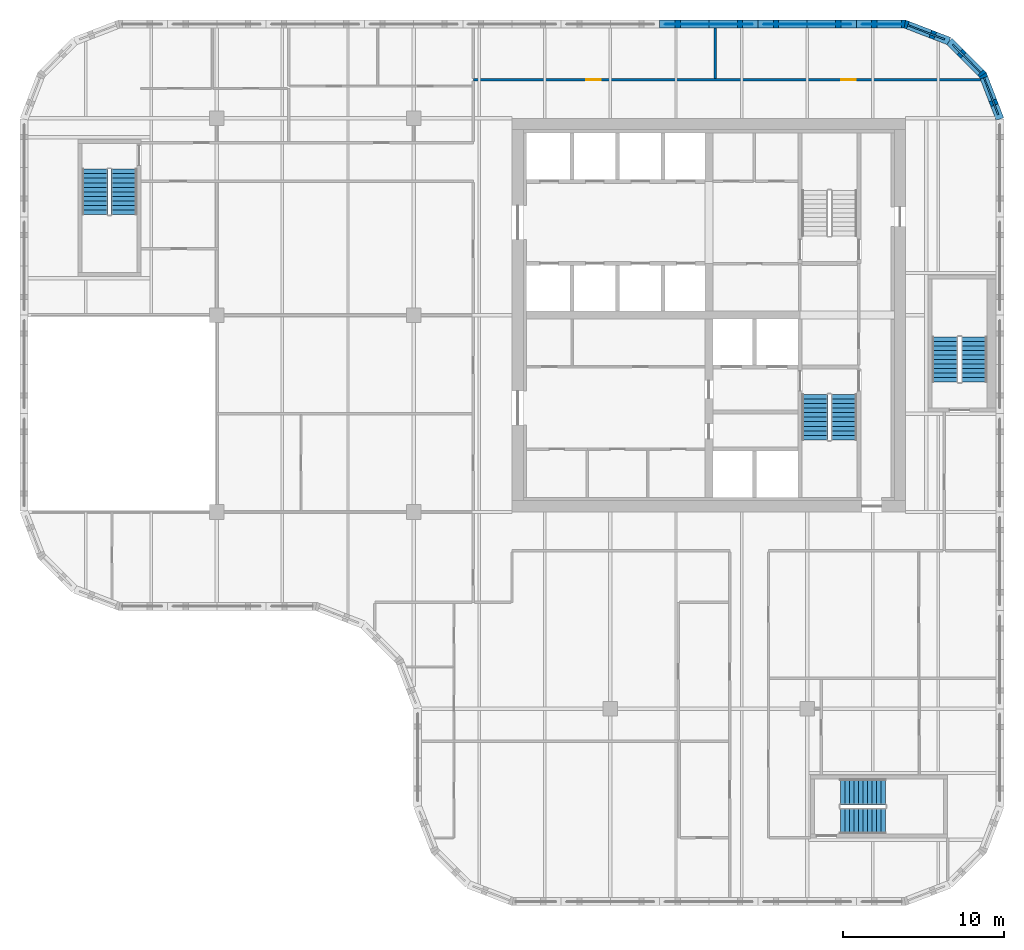
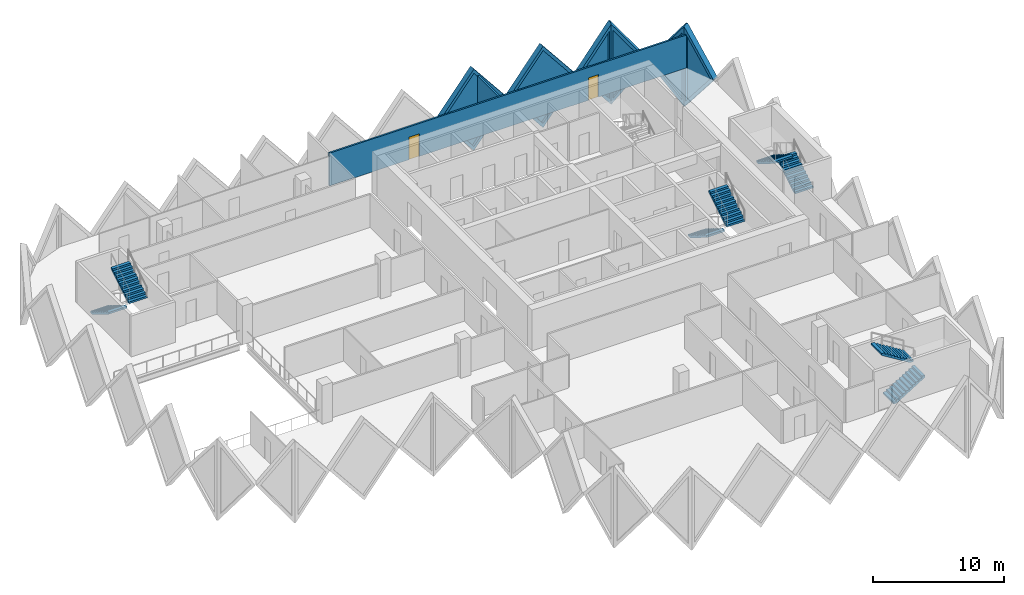
# One storey, part 10 of 12: 8 stair flights, 8 walls, 6 plates, 2 doors, 8 openings, 4 elements without a shape of their own.
"""IFC4 building model written with IfcOpenShell, lengths in metres."""

from ifc_helpers import new_model, si_unit, direction, frame, frame_2d, origin, place, context, subcontext, project, spatial, polyline, rectangle, outline, extrude, faceted_brep, source, transform, mapped, material, layer, layer_set, type_object, element, fill, aggregate, save


model = new_model("IFC4")

# Units and contexts
model_context = context("Model", 3, precision=1e-05, world=origin(), true_north=direction((0.0, 1.0)))
body_context = subcontext(model_context, "Body", "Model", "MODEL_VIEW")
ifc_project = project(units=[si_unit("LENGTHUNIT", "METRE"), si_unit("AREAUNIT", "SQUARE_METRE"), si_unit("VOLUMEUNIT", "CUBIC_METRE"), si_unit("PLANEANGLEUNIT", "RADIAN"), si_unit("MASSUNIT", "GRAM", prefix="KILO")], contexts=[model_context])

# Site, building, storey
site_placement = place(None, origin())
site = spatial("IfcSite", under=ifc_project, at=site_placement, CompositionType="ELEMENT")
building_placement = place(site_placement, origin())
building = spatial("IfcBuilding", under=site, at=building_placement, Name="Tessera Gate Towers", CompositionType="ELEMENT")
storey_placement = place(building_placement, frame((0.0, 0.0, 143.0)))
storey = spatial("IfcBuildingStorey", under=building, at=storey_placement, Name="L35", CompositionType="ELEMENT", Elevation=143.0)

# Wall, openings, doors
ifc_material_1 = material(Name="Gypsum board on steel studs, mineral wool", Category="steel")
ifc_layer_1 = layer(ifc_material_1, 0.14990234375)
ifc_layer_set_1 = layer_set([ifc_layer_1], Name="CORRIDOR WALL 150")
wall_type_1 = type_object("IfcWallType", Name="CORRIDOR WALL 150", PredefinedType="PARTITIONING", material=ifc_layer_set_1)
wall_1_placement = place(storey_placement, frame((28.10009765625, 51.199951171875, 0.0), z_axis=(0.0, 0.0, 1.0), x_axis=(1.0, 0.0, 0.0)))
wall_1 = element("IfcWall", 1, at=wall_1_placement, inside=storey, type_object=wall_type_1, Name="T1-L35-PW-052", PredefinedType="PARTITIONING", context=body_context, shape_type="SweptSolid", body=[
    extrude(rectangle(XDim=31.438232421875, YDim=0.14990234375, at=frame_2d((15.71923828125, 0.0))), origin(), (0.0, 0.0, 1.0), 3.06689453125),
])
shared_shape_1 = source(origin(), body_context, "Body", "SweptSolid", [
    extrude(rectangle(XDim=0.89990234375, YDim=2.10009765625, at=frame_2d((0.449951171875, 1.050048828125))), frame((0.0, 0.0849609375, 0.0), z_axis=(0.0, -1.0, 0.0), x_axis=(1.0, 0.0, 0.0)), (0.0, 0.0, 1.0), 0.169921875),
])
opening_1_placement = place(wall_1_placement, frame((7.0, 0.0, 0.0)))
opening_1 = element("IfcOpeningElement", 2, at=opening_1_placement, cuts=wall_1, Name="Opening D890FD60-A13-07", PredefinedType="OPENING", context=body_context, shape_type="MappedRepresentation", body=[
    mapped(shared_shape_1, transform((0.0, 0.0, 0.0), scale=1.0)),
])
opening_2_placement = place(wall_1_placement, frame((22.800048828125, 0.0, 0.0)))
opening_2 = element("IfcOpeningElement", 3, at=opening_2_placement, cuts=wall_1, Name="Opening D890FD60-A13-08", PredefinedType="OPENING", context=body_context, shape_type="MappedRepresentation", body=[
    mapped(shared_shape_1, transform((0.0, 0.0, 0.0), scale=1.0)),
])
ifc_material_2 = material(Name="Timber door leaf in steel frame", Category="steel")
door_type = type_object("IfcDoorType", Name="CORRIDOR DOOR 900 FD60", OperationType="NOTDEFINED", PredefinedType="DOOR", material=ifc_material_2)
shared_shape_2 = source(origin(), body_context, "Body", "SweptSolid", [
    extrude(rectangle(XDim=0.89990234375, YDim=2.10009765625, at=frame_2d((0.449951171875, 1.050048828125))), frame((0.0, 0.02490234375, 0.0), z_axis=(0.0, -1.0, 0.0), x_axis=(1.0, 0.0, 0.0)), (0.0, 0.0, 1.0), 0.050048828125),
])
door_1_placement = place(opening_1_placement, origin())
door_1 = element("IfcDoor", 4, at=door_1_placement, inside=storey, type_object=door_type, Name="T1-L35-PD-028", OperationType="SINGLE_SWING_LEFT", OverallHeight=2.10009765625, OverallWidth=0.89990234375, PredefinedType="DOOR", context=body_context, shape_type="MappedRepresentation", body=[
    mapped(shared_shape_2, transform((0.0, 0.0, 0.0), scale=1.0)),
])
fill(opening_1, door_1)
door_2_placement = place(opening_2_placement, origin())
door_2 = element("IfcDoor", 5, at=door_2_placement, inside=storey, type_object=door_type, Name="T1-L35-PD-029", OperationType="SINGLE_SWING_LEFT", OverallHeight=2.10009765625, OverallWidth=0.89990234375, PredefinedType="DOOR", context=body_context, shape_type="MappedRepresentation", body=[
    mapped(shared_shape_2, transform((0.0, 0.0, 0.0), scale=1.0)),
])
fill(opening_2, door_2)

# Wall
ifc_material_3 = material(Name="Gypsum board on steel studs, mineral wool", Category="steel")
ifc_layer_2 = layer(ifc_material_3, 0.14990234375)
ifc_layer_set_2 = layer_set([ifc_layer_2], Name="TENANCY WALL 150")
wall_type_2 = type_object("IfcWallType", Name="TENANCY WALL 150", PredefinedType="PARTITIONING", material=ifc_layer_set_2)
wall_2_placement = place(storey_placement, frame((43.10009765625, 51.27587890625, 0.0), z_axis=(0.0, 0.0, 1.0), x_axis=(0.0, 1.0, 0.0)))
element("IfcWall", 6, at=wall_2_placement, inside=storey, type_object=wall_type_2, Name="T1-L35-PW-054", PredefinedType="PARTITIONING", context=body_context, shape_type="SweptSolid", body=[
    extrude(rectangle(XDim=3.1240234375, YDim=0.14990234375, at=frame_2d((1.56201171875, 0.0))), origin(), (0.0, 0.0, 1.0), 3.06689453125),
])

# Wall, opening, plate
ifc_material_4 = material(Name="Precast concrete C60/75 white", Category="concrete")
ifc_layer_3 = layer(ifc_material_4, 0.5)
ifc_layer_set_3 = layer_set([ifc_layer_3], Name="TS1 tessera")
wall_type_3 = type_object("IfcWallType", Name="TS1 tessera", PredefinedType="SOLIDWALL", material=ifc_layer_set_3)
shared_shape_3 = source(origin(), body_context, "Body", "SweptSolid", [
    extrude(outline(polyline([(3.050048828125, 0.0), (6.10009765625, 3.800048828125), (3.050048828125, 7.60009765625), (0.0, 3.800048828125), (3.050048828125, 0.0)])), frame((0.0, 0.25, 0.0), z_axis=(0.0, -1.0, 0.0), x_axis=(1.0, 0.0, 0.0)), (0.0, 0.0, 1.0), 0.5),
])
wall_3_placement = place(storey_placement, frame((51.85009765625, 54.64990234375, -3.800048828125), z_axis=(0.0, 0.0, 1.0), x_axis=(-1.0, 0.0, 0.0)))
wall_3 = element("IfcWall", 7, at=wall_3_placement, inside=storey, type_object=wall_type_3, Name="Precast tessera T1 TS1-0608", PredefinedType="SOLIDWALL", context=body_context, shape_type="MappedRepresentation", body=[
    mapped(shared_shape_3, transform((0.0, 0.0, 0.0), scale=1.0)),
])
shared_shape_4 = source(origin(), body_context, "Body", "SweptSolid", [
    extrude(outline(polyline([(3.050048828125, 0.3994140625), (5.779541015625, 3.800048828125), (3.050048828125, 7.20068359375), (0.320556640625, 3.800048828125), (3.050048828125, 0.3994140625)])), frame((0.0, 0.260009765625, 0.0), z_axis=(0.0, -1.0, 0.0), x_axis=(1.0, 0.0, 0.0)), (0.0, 0.0, 1.0), 0.52001953125),
])
opening_3_placement = place(wall_3_placement, origin())
opening_3 = element("IfcOpeningElement", 8, at=opening_3_placement, cuts=wall_3, Name="Opening T1-PL2-1242", PredefinedType="OPENING", context=body_context, shape_type="MappedRepresentation", body=[
    mapped(shared_shape_4, transform((0.0, 0.0, 0.0), scale=1.0)),
])
ifc_material_5 = material(Name="Low-e laminated glass", Category="glass")
ifc_layer_4 = layer(ifc_material_5, 0.06005859375)
ifc_layer_set_4 = layer_set([ifc_layer_4], Name="PL2 rhombic pane")
plate_type = type_object("IfcPlateType", Name="PL2 rhombic pane", PredefinedType="SHEET", material=ifc_layer_set_4)
shared_shape_5 = source(origin(), body_context, "Body", "SweptSolid", [
    extrude(outline(polyline([(3.050048828125, 0.3994140625), (5.779541015625, 3.800048828125), (3.050048828125, 7.20068359375), (0.320556640625, 3.800048828125), (3.050048828125, 0.3994140625)])), frame((0.0, 0.030029296875, 0.0), z_axis=(0.0, -1.0, 0.0), x_axis=(1.0, 0.0, 0.0)), (0.0, 0.0, 1.0), 0.06005859375),
])
plate_1_placement = place(opening_3_placement, origin())
plate_1 = element("IfcPlate", 9, at=plate_1_placement, inside=storey, type_object=plate_type, Name="Glass pane T1 PL2-1242", PredefinedType="SHEET", context=body_context, shape_type="MappedRepresentation", body=[
    mapped(shared_shape_5, transform((0.0, 0.0, 0.0), scale=1.0)),
])
fill(opening_3, plate_1)

wall_4_placement = place(storey_placement, frame((45.75, 54.64990234375, -3.800048828125), z_axis=(0.0, 0.0, 1.0), x_axis=(-1.0, 0.0, 0.0)))
wall_4 = element("IfcWall", 10, at=wall_4_placement, inside=storey, type_object=wall_type_3, Name="Precast tessera T1 TS1-0609", PredefinedType="SOLIDWALL", context=body_context, shape_type="MappedRepresentation", body=[
    mapped(shared_shape_3, transform((0.0, 0.0, 0.0), scale=1.0)),
])
opening_4_placement = place(wall_4_placement, origin())
opening_4 = element("IfcOpeningElement", 11, at=opening_4_placement, cuts=wall_4, Name="Opening T1-PL2-1243", PredefinedType="OPENING", context=body_context, shape_type="MappedRepresentation", body=[
    mapped(shared_shape_4, transform((0.0, 0.0, 0.0), scale=1.0)),
])
plate_2_placement = place(opening_4_placement, origin())
plate_2 = element("IfcPlate", 12, at=plate_2_placement, inside=storey, type_object=plate_type, Name="Glass pane T1 PL2-1243", PredefinedType="SHEET", context=body_context, shape_type="MappedRepresentation", body=[
    mapped(shared_shape_5, transform((0.0, 0.0, 0.0), scale=1.0)),
])
fill(opening_4, plate_2)

ifc_material_6 = material(Name="Precast concrete C60/75 white", Category="concrete")
ifc_layer_5 = layer(ifc_material_6, 0.5)
ifc_layer_set_5 = layer_set([ifc_layer_5], Name="TS3 corner tessera")
wall_type_4 = type_object("IfcWallType", Name="TS3 corner tessera", PredefinedType="SOLIDWALL", material=ifc_layer_set_5)
shared_shape_6 = source(origin(), body_context, "Body", "Brep", [
    faceted_brep([(2.950439453125, -0.25, 0.0), (2.9970703125, -0.25, 0.05908203125), (2.9970703125, -0.25, 7.541015625), (2.950439453125, -0.25, 7.60009765625), (0.0, -0.25, 3.800048828125), (0.052978515625, 0.25, 3.8681640625), (2.904052734375, 0.25, 7.540283203125), (2.904052734375, 0.25, 0.059814453125), (0.052978515625, 0.25, 3.73193359375), (2.950439453125, 0.00048828125, 0.0), (2.950439453125, 0.00048828125, 7.60009765625), (0.0, 0.0, 3.800048828125)], [[[0, 1, 2, 3, 4]], [[5, 6, 7, 8]], [[1, 0, 9]], [[10, 3, 2]], [[6, 5, 11, 4, 3, 10]], [[8, 7, 9, 0, 4, 11]], [[8, 11, 5]], [[1, 9, 7, 6, 10, 2]]]),
])
wall_5_placement = place(storey_placement, frame((57.606201171875, 53.588134765625, -3.800048828125), z_axis=(0.0, 0.0, 1.0), x_axis=(-0.932990326376, 0.359901446078, 0.0)))
wall_5 = element("IfcWall", 13, at=wall_5_placement, inside=storey, type_object=wall_type_4, Name="Precast corner tessera T1 TS3-0801", PredefinedType="SOLIDWALL", context=body_context, shape_type="MappedRepresentation", body=[
    mapped(shared_shape_6, transform((0.0, 0.0, 0.0), scale=1.0)),
])
shared_shape_7 = source(origin(), body_context, "Body", "SweptSolid", [
    extrude(outline(polyline([(2.75048828125, 6.934814453125), (0.31640625, 3.800048828125), (2.75048828125, 0.665283203125), (2.75048828125, 6.934814453125)])), frame((0.0, 0.260009765625, 0.0), z_axis=(0.0, -1.0, 0.0), x_axis=(1.0, 0.0, 0.0)), (0.0, 0.0, 1.0), 0.52001953125),
])
opening_5_placement = place(wall_5_placement, origin())
opening_5 = element("IfcOpeningElement", 14, at=opening_5_placement, cuts=wall_5, Name="Opening T1-PL2-1240", PredefinedType="OPENING", context=body_context, shape_type="MappedRepresentation", body=[
    mapped(shared_shape_7, transform((0.0, 0.0, 0.0), scale=1.0)),
])
shared_shape_8 = source(origin(), body_context, "Body", "SweptSolid", [
    extrude(outline(polyline([(2.75048828125, 6.934814453125), (0.31640625, 3.800048828125), (2.75048828125, 0.665283203125), (2.75048828125, 6.934814453125)])), frame((0.0, 0.030029296875, 0.0), z_axis=(0.0, -1.0, 0.0), x_axis=(1.0, 0.0, 0.0)), (0.0, 0.0, 1.0), 0.06005859375),
])
plate_3_placement = place(opening_5_placement, origin())
plate_3 = element("IfcPlate", 15, at=plate_3_placement, inside=storey, type_object=plate_type, Name="Glass pane T1 PL2-1240", PredefinedType="SHEET", context=body_context, shape_type="MappedRepresentation", body=[
    mapped(shared_shape_8, transform((0.0, 0.0, 0.0), scale=1.0)),
])
fill(opening_5, plate_3)

shared_shape_9 = source(origin(), body_context, "Body", "Brep", [
    faceted_brep([(0.046630859375, -0.25, 0.0), (3.050048828125, -0.25, 3.800048828125), (0.046630859375, -0.25, 7.60009765625), (0.0, -0.25, 7.5400390625), (0.0, -0.25, 0.06005859375), (0.09326171875, 0.25, 7.541259765625), (3.050048828125, 0.25, 3.800048828125), (0.09326171875, 0.25, 0.058837890625), (0.046630859375, 0.0, 0.0), (0.046630859375, 0.0, 7.60009765625)], [[[0, 1, 2, 3, 4]], [[5, 6, 7]], [[7, 6, 1, 0, 8]], [[6, 5, 9, 2, 1]], [[3, 2, 9]], [[8, 0, 4]], [[7, 8, 4, 3, 9, 5]]]),
])
wall_6_placement = place(storey_placement, frame((54.900146484375, 54.64990234375, -3.800048828125), z_axis=(0.0, 0.0, 1.0), x_axis=(-1.0, 0.0, 0.0)))
wall_6 = element("IfcWall", 16, at=wall_6_placement, inside=storey, type_object=wall_type_4, Name="Precast corner tessera T1 TS3-0802", PredefinedType="SOLIDWALL", context=body_context, shape_type="MappedRepresentation", body=[
    mapped(shared_shape_9, transform((0.0, 0.0, 0.0), scale=1.0)),
])
shared_shape_10 = source(origin(), body_context, "Body", "SweptSolid", [
    extrude(outline(polyline([(0.24658203125, 0.65625), (2.7314453125, 3.800048828125), (0.24658203125, 6.94384765625), (0.24658203125, 0.65625)])), frame((0.0, 0.260009765625, 0.0), z_axis=(0.0, -1.0, 0.0), x_axis=(1.0, 0.0, 0.0)), (0.0, 0.0, 1.0), 0.52001953125),
])
opening_6_placement = place(wall_6_placement, origin())
opening_6 = element("IfcOpeningElement", 17, at=opening_6_placement, cuts=wall_6, Name="Opening T1-PL2-1241", PredefinedType="OPENING", context=body_context, shape_type="MappedRepresentation", body=[
    mapped(shared_shape_10, transform((0.0, 0.0, 0.0), scale=1.0)),
])
shared_shape_11 = source(origin(), body_context, "Body", "SweptSolid", [
    extrude(outline(polyline([(0.24658203125, 0.65625), (2.7314453125, 3.800048828125), (0.24658203125, 6.94384765625), (0.24658203125, 0.65625)])), frame((0.0, 0.030029296875, 0.0), z_axis=(0.0, -1.0, 0.0), x_axis=(1.0, 0.0, 0.0)), (0.0, 0.0, 1.0), 0.06005859375),
])
plate_4_placement = place(opening_6_placement, origin())
plate_4 = element("IfcPlate", 18, at=plate_4_placement, inside=storey, type_object=plate_type, Name="Glass pane T1 PL2-1241", PredefinedType="SHEET", context=body_context, shape_type="MappedRepresentation", body=[
    mapped(shared_shape_11, transform((0.0, 0.0, 0.0), scale=1.0)),
])
fill(opening_6, plate_4)

shared_shape_12 = source(origin(), body_context, "Body", "Brep", [
    faceted_brep([(2.950439453125, -0.25, 0.0), (3.00341796875, -0.25, 0.068359375), (3.00341796875, -0.25, 7.53173828125), (2.950439453125, -0.25, 7.60009765625), (0.0, -0.25, 3.800048828125), (0.046630859375, 0.25, 3.860107421875), (2.897705078125, 0.25, 7.531982421875), (2.897705078125, 0.25, 0.068115234375), (0.046630859375, 0.25, 3.739990234375), (2.950439453125, 0.00048828125, 0.0), (2.950439453125, 0.00048828125, 7.60009765625), (0.0, 0.0, 3.800048828125)], [[[0, 1, 2, 3, 4]], [[5, 6, 7, 8]], [[1, 0, 9]], [[10, 3, 2]], [[6, 5, 11, 4, 3, 10]], [[8, 7, 9, 0, 4, 11]], [[8, 11, 5]], [[1, 9, 7, 6, 10, 2]]]),
])
wall_7_placement = place(storey_placement, frame((60.75, 48.75341796875, -3.800048828125), z_axis=(0.0, 0.0, 1.0), x_axis=(-0.35992665181, 0.932980602862, 0.0)))
wall_7 = element("IfcWall", 19, at=wall_7_placement, inside=storey, type_object=wall_type_4, Name="Precast corner tessera T1 TS3-0799", PredefinedType="SOLIDWALL", context=body_context, shape_type="MappedRepresentation", body=[
    mapped(shared_shape_12, transform((0.0, 0.0, 0.0), scale=1.0)),
])
opening_7_placement = place(wall_7_placement, origin())
opening_7 = element("IfcOpeningElement", 20, at=opening_7_placement, cuts=wall_7, Name="Opening T1-PL2-1238", PredefinedType="OPENING", context=body_context, shape_type="MappedRepresentation", body=[
    mapped(shared_shape_7, transform((0.0, 0.0, 0.0), scale=1.0)),
])
plate_5_placement = place(opening_7_placement, origin())
plate_5 = element("IfcPlate", 21, at=plate_5_placement, inside=storey, type_object=plate_type, Name="Glass pane T1 PL2-1238", PredefinedType="SHEET", context=body_context, shape_type="MappedRepresentation", body=[
    mapped(shared_shape_8, transform((0.0, 0.0, 0.0), scale=1.0)),
])
fill(opening_7, plate_5)

shared_shape_13 = source(origin(), body_context, "Body", "Brep", [
    faceted_brep([(0.052978515625, -0.25, 0.0), (2.9970703125, -0.25, 3.800048828125), (0.052978515625, -0.25, 7.60009765625), (0.0, -0.25, 7.531982421875), (0.0, -0.25, 0.068115234375), (0.10595703125, 0.25, 7.53173828125), (2.944091796875, 0.25, 3.8681640625), (2.944091796875, 0.25, 3.73193359375), (0.10595703125, 0.25, 0.068359375), (2.9970703125, 0.000244140625, 3.800048828125), (0.052978515625, 0.0, 0.0), (0.052978515625, 0.0, 7.60009765625)], [[[0, 1, 2, 3, 4]], [[5, 6, 7, 8]], [[8, 7, 9, 1, 0, 10]], [[6, 5, 11, 2, 1, 9]], [[3, 2, 11]], [[10, 0, 4]], [[8, 10, 4, 3, 11, 5]], [[9, 7, 6]]]),
])
wall_8_placement = place(storey_placement, frame((59.7255859375, 51.46875, -3.800048828125), z_axis=(0.0, 0.0, 1.0), x_axis=(-0.707106781187, 0.707106781187, 0.0)))
wall_8 = element("IfcWall", 22, at=wall_8_placement, inside=storey, type_object=wall_type_4, Name="Precast corner tessera T1 TS3-0800", PredefinedType="SOLIDWALL", context=body_context, shape_type="MappedRepresentation", body=[
    mapped(shared_shape_13, transform((0.0, 0.0, 0.0), scale=1.0)),
])
shared_shape_14 = source(origin(), body_context, "Body", "SweptSolid", [
    extrude(outline(polyline([(0.2529296875, 0.666259765625), (2.680908203125, 3.800048828125), (0.2529296875, 6.933837890625), (0.2529296875, 0.666259765625)])), frame((0.0, 0.260009765625, 0.0), z_axis=(0.0, -1.0, 0.0), x_axis=(1.0, 0.0, 0.0)), (0.0, 0.0, 1.0), 0.52001953125),
])
opening_8_placement = place(wall_8_placement, origin())
opening_8 = element("IfcOpeningElement", 23, at=opening_8_placement, cuts=wall_8, Name="Opening T1-PL2-1239", PredefinedType="OPENING", context=body_context, shape_type="MappedRepresentation", body=[
    mapped(shared_shape_14, transform((0.0, 0.0, 0.0), scale=1.0)),
])
shared_shape_15 = source(origin(), body_context, "Body", "SweptSolid", [
    extrude(outline(polyline([(0.2529296875, 0.666259765625), (2.680908203125, 3.800048828125), (0.2529296875, 6.933837890625), (0.2529296875, 0.666259765625)])), frame((0.0, 0.030029296875, 0.0), z_axis=(0.0, -1.0, 0.0), x_axis=(1.0, 0.0, 0.0)), (0.0, 0.0, 1.0), 0.06005859375),
])
plate_6_placement = place(opening_8_placement, origin())
plate_6 = element("IfcPlate", 24, at=plate_6_placement, inside=storey, type_object=plate_type, Name="Glass pane T1 PL2-1239", PredefinedType="SHEET", context=body_context, shape_type="MappedRepresentation", body=[
    mapped(shared_shape_15, transform((0.0, 0.0, 0.0), scale=1.0)),
])
fill(opening_8, plate_6)

# Stair, stair flights
ifc_material_7 = material(Name="Concrete C40/50", Category="concrete")
stair_type_1 = type_object("IfcStairType", Name="EXIT STAIR ST1 1600", PredefinedType="HALF_TURN_STAIR", material=ifc_material_7)
stair_1_placement = place(storey_placement, origin())
stair_1 = element("IfcStair", 25, at=stair_1_placement, inside=storey, type_object=stair_type_1, Name="L35 Protected Exit Stair ST1", PredefinedType="HALF_TURN_STAIR")
ifc_material_8 = material(Name="Concrete C40/50", Category="concrete")
stair_flight_type_1 = type_object("IfcStairFlightType", Name="EXIT STAIR FLIGHT ST1 1600", PredefinedType="STRAIGHT", material=ifc_material_8)
stair_flight_1_placement = place(storey_placement, frame((49.27490234375, 31.675048828125, 0.0), z_axis=(0.0, 0.0, 1.0), x_axis=(0.0, -1.0, 0.0)))
stair_flight_1 = element("IfcStairFlight", 26, at=stair_flight_1_placement, type_object=stair_flight_type_1, Name="ST1 flight 1", NumberOfRisers=11, NumberOfTreads=10, PredefinedType="STRAIGHT", RiserHeight=0.172727273, TreadLength=0.28, context=body_context, shape_type="SweptSolid", body=[
    extrude(outline(polyline([(0.0, 0.0), (0.0, 0.172607421875), (0.280029296875, 0.172607421875), (0.280029296875, 0.345458984375), (0.56005859375, 0.345458984375), (0.56005859375, 0.51806640625), (0.840087890625, 0.51806640625), (0.840087890625, 0.69091796875), (1.1201171875, 0.69091796875), (1.1201171875, 0.863525390625), (1.39990234375, 0.863525390625), (1.39990234375, 1.036376953125), (1.679931640625, 1.036376953125), (1.679931640625, 1.208984375), (1.9599609375, 1.208984375), (1.9599609375, 1.3818359375), (2.239990234375, 1.3818359375), (2.239990234375, 1.554443359375), (2.52001953125, 1.554443359375), (2.52001953125, 1.727294921875), (2.800048828125, 1.727294921875), (2.800048828125, 1.89990234375), (2.800048828125, 1.551025390625), (0.285400390625, 0.0), (0.0, 0.0)])), frame((0.0, 0.800048828125, 0.0), z_axis=(0.0, -1.0, 0.0), x_axis=(1.0, 0.0, 0.0)), (0.0, 0.0, 1.0), 1.60009765625),
])
stair_flight_2_placement = place(storey_placement, frame((51.074951171875, 28.875, 1.89990234375), z_axis=(0.0, 0.0, 1.0), x_axis=(0.0, 1.0, 0.0)))
stair_flight_2 = element("IfcStairFlight", 27, at=stair_flight_2_placement, type_object=stair_flight_type_1, Name="ST1 flight 2", NumberOfRisers=11, NumberOfTreads=10, PredefinedType="STRAIGHT", RiserHeight=0.172727273, TreadLength=0.28, context=body_context, shape_type="SweptSolid", body=[
    extrude(outline(polyline([(0.0, 0.0), (0.0, 0.172607421875), (0.280029296875, 0.172607421875), (0.280029296875, 0.345458984375), (0.56005859375, 0.345458984375), (0.56005859375, 0.51806640625), (0.840087890625, 0.51806640625), (0.840087890625, 0.69091796875), (1.1201171875, 0.69091796875), (1.1201171875, 0.863525390625), (1.39990234375, 0.863525390625), (1.39990234375, 1.036376953125), (1.679931640625, 1.036376953125), (1.679931640625, 1.208984375), (1.9599609375, 1.208984375), (1.9599609375, 1.3818359375), (2.239990234375, 1.3818359375), (2.239990234375, 1.554443359375), (2.52001953125, 1.554443359375), (2.52001953125, 1.727294921875), (2.800048828125, 1.727294921875), (2.800048828125, 1.89990234375), (2.800048828125, 1.551025390625), (0.285400390625, 0.0), (0.0, 0.0)])), frame((0.0, 0.800048828125, 0.0), z_axis=(0.0, -1.0, 0.0), x_axis=(1.0, 0.0, 0.0)), (0.0, 0.0, 1.0), 1.60009765625),
])
aggregate(stair_1, [stair_flight_1, stair_flight_2])

ifc_material_9 = material(Name="Concrete C40/50", Category="concrete")
stair_type_2 = type_object("IfcStairType", Name="EXIT STAIR ST3 1600", PredefinedType="HALF_TURN_STAIR", material=ifc_material_9)
stair_2_placement = place(storey_placement, origin())
stair_2 = element("IfcStair", 28, at=stair_2_placement, inside=storey, type_object=stair_type_2, Name="L35 West Exit Stair ST3", PredefinedType="HALF_TURN_STAIR")
ifc_material_10 = material(Name="Concrete C40/50", Category="concrete")
stair_flight_type_2 = type_object("IfcStairFlightType", Name="EXIT STAIR FLIGHT ST3 1600", PredefinedType="STRAIGHT", material=ifc_material_10)
stair_flight_3_placement = place(storey_placement, frame((4.64990234375, 45.64990234375, 0.0), z_axis=(0.0, 0.0, 1.0), x_axis=(0.0, -1.0, 0.0)))
stair_flight_3 = element("IfcStairFlight", 29, at=stair_flight_3_placement, type_object=stair_flight_type_2, Name="ST3 flight 1", NumberOfRisers=11, NumberOfTreads=10, PredefinedType="STRAIGHT", RiserHeight=0.172727273, TreadLength=0.28, context=body_context, shape_type="SweptSolid", body=[
    extrude(outline(polyline([(0.0, 0.0), (0.0, 0.172607421875), (0.280029296875, 0.172607421875), (0.280029296875, 0.345458984375), (0.56005859375, 0.345458984375), (0.56005859375, 0.51806640625), (0.840087890625, 0.51806640625), (0.840087890625, 0.69091796875), (1.1201171875, 0.69091796875), (1.1201171875, 0.863525390625), (1.39990234375, 0.863525390625), (1.39990234375, 1.036376953125), (1.679931640625, 1.036376953125), (1.679931640625, 1.208984375), (1.9599609375, 1.208984375), (1.9599609375, 1.3818359375), (2.239990234375, 1.3818359375), (2.239990234375, 1.554443359375), (2.52001953125, 1.554443359375), (2.52001953125, 1.727294921875), (2.800048828125, 1.727294921875), (2.800048828125, 1.89990234375), (2.800048828125, 1.551025390625), (0.285400390625, 0.0), (0.0, 0.0)])), frame((0.0, 0.800048828125, 0.0), z_axis=(0.0, -1.0, 0.0), x_axis=(1.0, 0.0, 0.0)), (0.0, 0.0, 1.0), 1.60009765625),
])
stair_flight_4_placement = place(storey_placement, frame((6.449951171875, 42.85009765625, 1.89990234375), z_axis=(0.0, 0.0, 1.0), x_axis=(0.0, 1.0, 0.0)))
stair_flight_4 = element("IfcStairFlight", 30, at=stair_flight_4_placement, type_object=stair_flight_type_2, Name="ST3 flight 2", NumberOfRisers=11, NumberOfTreads=10, PredefinedType="STRAIGHT", RiserHeight=0.172727273, TreadLength=0.28, context=body_context, shape_type="SweptSolid", body=[
    extrude(outline(polyline([(0.0, 0.0), (0.0, 0.172607421875), (0.280029296875, 0.172607421875), (0.280029296875, 0.345458984375), (0.56005859375, 0.345458984375), (0.56005859375, 0.51806640625), (0.840087890625, 0.51806640625), (0.840087890625, 0.69091796875), (1.1201171875, 0.69091796875), (1.1201171875, 0.863525390625), (1.39990234375, 0.863525390625), (1.39990234375, 1.036376953125), (1.679931640625, 1.036376953125), (1.679931640625, 1.208984375), (1.9599609375, 1.208984375), (1.9599609375, 1.3818359375), (2.239990234375, 1.3818359375), (2.239990234375, 1.554443359375), (2.52001953125, 1.554443359375), (2.52001953125, 1.727294921875), (2.800048828125, 1.727294921875), (2.800048828125, 1.89990234375), (2.800048828125, 1.551025390625), (0.285400390625, 0.0), (0.0, 0.0)])), frame((0.0, 0.800048828125, 0.0), z_axis=(0.0, -1.0, 0.0), x_axis=(1.0, 0.0, 0.0)), (0.0, 0.0, 1.0), 1.60009765625),
])
aggregate(stair_2, [stair_flight_3, stair_flight_4])

ifc_material_11 = material(Name="Concrete C40/50", Category="concrete")
stair_type_3 = type_object("IfcStairType", Name="EXIT STAIR ST4 1600", PredefinedType="HALF_TURN_STAIR", material=ifc_material_11)
stair_3_placement = place(storey_placement, origin())
stair_3 = element("IfcStair", 31, at=stair_3_placement, inside=storey, type_object=stair_type_3, Name="L35 South Exit Stair ST4", PredefinedType="HALF_TURN_STAIR")
ifc_material_12 = material(Name="Concrete C40/50", Category="concrete")
stair_flight_type_3 = type_object("IfcStairFlightType", Name="EXIT STAIR FLIGHT ST4 1600", PredefinedType="STRAIGHT", material=ifc_material_12)
stair_flight_5_placement = place(storey_placement, frame((50.85009765625, 5.25, 0.0), z_axis=(0.0, 0.0, 1.0), x_axis=(1.0, 0.0, 0.0)))
stair_flight_5 = element("IfcStairFlight", 32, at=stair_flight_5_placement, type_object=stair_flight_type_3, Name="ST4 flight 1", NumberOfRisers=11, NumberOfTreads=10, PredefinedType="STRAIGHT", RiserHeight=0.172727273, TreadLength=0.28, context=body_context, shape_type="SweptSolid", body=[
    extrude(outline(polyline([(0.0, 0.0), (0.0, 0.172607421875), (0.280029296875, 0.172607421875), (0.280029296875, 0.345458984375), (0.56005859375, 0.345458984375), (0.56005859375, 0.51806640625), (0.840087890625, 0.51806640625), (0.840087890625, 0.69091796875), (1.1201171875, 0.69091796875), (1.1201171875, 0.863525390625), (1.39990234375, 0.863525390625), (1.39990234375, 1.036376953125), (1.679931640625, 1.036376953125), (1.679931640625, 1.208984375), (1.9599609375, 1.208984375), (1.9599609375, 1.3818359375), (2.239990234375, 1.3818359375), (2.239990234375, 1.554443359375), (2.52001953125, 1.554443359375), (2.52001953125, 1.727294921875), (2.800048828125, 1.727294921875), (2.800048828125, 1.89990234375), (2.800048828125, 1.551025390625), (0.285400390625, 0.0), (0.0, 0.0)])), frame((0.0, 0.800048828125, 0.0), z_axis=(0.0, -1.0, 0.0), x_axis=(1.0, 0.0, 0.0)), (0.0, 0.0, 1.0), 1.60009765625),
])
stair_flight_6_placement = place(storey_placement, frame((53.64990234375, 7.050048828125, 1.89990234375), z_axis=(0.0, 0.0, 1.0), x_axis=(-1.0, 0.0, 0.0)))
stair_flight_6 = element("IfcStairFlight", 33, at=stair_flight_6_placement, type_object=stair_flight_type_3, Name="ST4 flight 2", NumberOfRisers=11, NumberOfTreads=10, PredefinedType="STRAIGHT", RiserHeight=0.172727273, TreadLength=0.28, context=body_context, shape_type="SweptSolid", body=[
    extrude(outline(polyline([(0.0, 0.0), (0.0, 0.172607421875), (0.280029296875, 0.172607421875), (0.280029296875, 0.345458984375), (0.56005859375, 0.345458984375), (0.56005859375, 0.51806640625), (0.840087890625, 0.51806640625), (0.840087890625, 0.69091796875), (1.1201171875, 0.69091796875), (1.1201171875, 0.863525390625), (1.39990234375, 0.863525390625), (1.39990234375, 1.036376953125), (1.679931640625, 1.036376953125), (1.679931640625, 1.208984375), (1.9599609375, 1.208984375), (1.9599609375, 1.3818359375), (2.239990234375, 1.3818359375), (2.239990234375, 1.554443359375), (2.52001953125, 1.554443359375), (2.52001953125, 1.727294921875), (2.800048828125, 1.727294921875), (2.800048828125, 1.89990234375), (2.800048828125, 1.551025390625), (0.285400390625, 0.0), (0.0, 0.0)])), frame((0.0, 0.800048828125, 0.0), z_axis=(0.0, -1.0, 0.0), x_axis=(1.0, 0.0, 0.0)), (0.0, 0.0, 1.0), 1.60009765625),
])
aggregate(stair_3, [stair_flight_5, stair_flight_6])

ifc_material_13 = material(Name="Concrete C40/50", Category="concrete")
stair_type_4 = type_object("IfcStairType", Name="EXIT STAIR ST5 1600", PredefinedType="HALF_TURN_STAIR", material=ifc_material_13)
stair_4_placement = place(storey_placement, origin())
stair_4 = element("IfcStair", 34, at=stair_4_placement, inside=storey, type_object=stair_type_4, Name="L35 East Exit Stair ST5", PredefinedType="HALF_TURN_STAIR")
ifc_material_14 = material(Name="Concrete C40/50", Category="concrete")
stair_flight_type_4 = type_object("IfcStairFlightType", Name="EXIT STAIR FLIGHT ST5 1600", PredefinedType="STRAIGHT", material=ifc_material_14)
stair_flight_7_placement = place(storey_placement, frame((59.14990234375, 32.449951171875, 0.0), z_axis=(0.0, 0.0, 1.0), x_axis=(0.0, 1.0, 0.0)))
stair_flight_7 = element("IfcStairFlight", 35, at=stair_flight_7_placement, type_object=stair_flight_type_4, Name="ST5 flight 1", NumberOfRisers=11, NumberOfTreads=10, PredefinedType="STRAIGHT", RiserHeight=0.172727273, TreadLength=0.28, context=body_context, shape_type="SweptSolid", body=[
    extrude(outline(polyline([(0.0, 0.0), (0.0, 0.172607421875), (0.280029296875, 0.172607421875), (0.280029296875, 0.345458984375), (0.56005859375, 0.345458984375), (0.56005859375, 0.51806640625), (0.840087890625, 0.51806640625), (0.840087890625, 0.69091796875), (1.1201171875, 0.69091796875), (1.1201171875, 0.863525390625), (1.39990234375, 0.863525390625), (1.39990234375, 1.036376953125), (1.679931640625, 1.036376953125), (1.679931640625, 1.208984375), (1.9599609375, 1.208984375), (1.9599609375, 1.3818359375), (2.239990234375, 1.3818359375), (2.239990234375, 1.554443359375), (2.52001953125, 1.554443359375), (2.52001953125, 1.727294921875), (2.800048828125, 1.727294921875), (2.800048828125, 1.89990234375), (2.800048828125, 1.551025390625), (0.285400390625, 0.0), (0.0, 0.0)])), frame((0.0, 0.800048828125, 0.0), z_axis=(0.0, -1.0, 0.0), x_axis=(1.0, 0.0, 0.0)), (0.0, 0.0, 1.0), 1.60009765625),
])
stair_flight_8_placement = place(storey_placement, frame((57.35009765625, 35.25, 1.89990234375), z_axis=(0.0, 0.0, 1.0), x_axis=(0.0, -1.0, 0.0)))
stair_flight_8 = element("IfcStairFlight", 36, at=stair_flight_8_placement, type_object=stair_flight_type_4, Name="ST5 flight 2", NumberOfRisers=11, NumberOfTreads=10, PredefinedType="STRAIGHT", RiserHeight=0.172727273, TreadLength=0.28, context=body_context, shape_type="SweptSolid", body=[
    extrude(outline(polyline([(0.0, 0.0), (0.0, 0.172607421875), (0.280029296875, 0.172607421875), (0.280029296875, 0.345458984375), (0.56005859375, 0.345458984375), (0.56005859375, 0.51806640625), (0.840087890625, 0.51806640625), (0.840087890625, 0.69091796875), (1.1201171875, 0.69091796875), (1.1201171875, 0.863525390625), (1.39990234375, 0.863525390625), (1.39990234375, 1.036376953125), (1.679931640625, 1.036376953125), (1.679931640625, 1.208984375), (1.9599609375, 1.208984375), (1.9599609375, 1.3818359375), (2.239990234375, 1.3818359375), (2.239990234375, 1.554443359375), (2.52001953125, 1.554443359375), (2.52001953125, 1.727294921875), (2.800048828125, 1.727294921875), (2.800048828125, 1.89990234375), (2.800048828125, 1.551025390625), (0.285400390625, 0.0), (0.0, 0.0)])), frame((0.0, 0.800048828125, 0.0), z_axis=(0.0, -1.0, 0.0), x_axis=(1.0, 0.0, 0.0)), (0.0, 0.0, 1.0), 1.60009765625),
])
aggregate(stair_4, [stair_flight_7, stair_flight_8])

save(model, "model.ifc")
